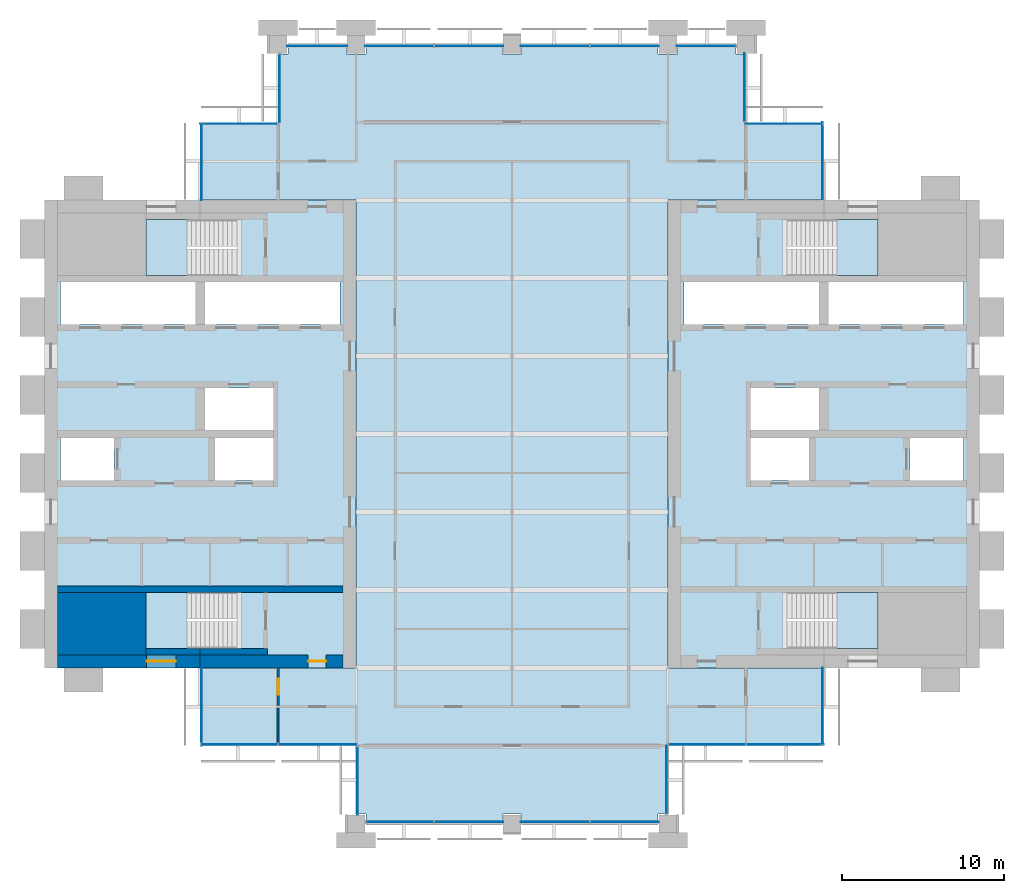
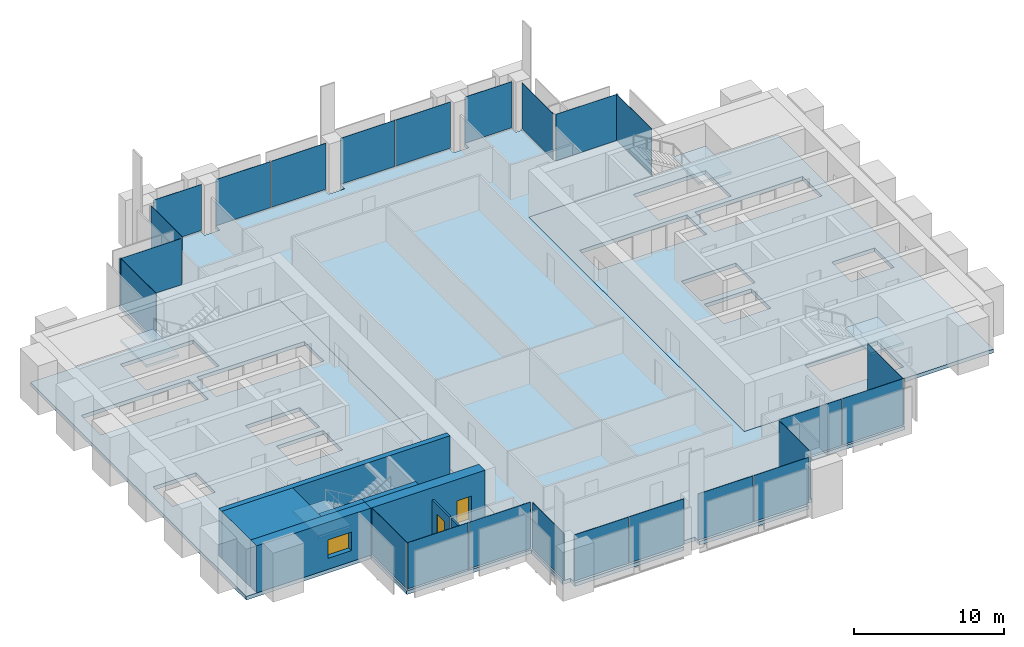
# One storey, part 7 of 13: 24 plates, 8 walls, 7 slabs, 2 doors, 1 window, 3 openings, 18 elements without a shape of their own.
"""IFC4 building model written with IfcOpenShell, lengths in metres."""

from ifc_helpers import new_model, si_unit, direction, frame, frame_2d, origin, origin_2d, place, context, subcontext, project, spatial, polyline, rectangle, outline, extrude, material, layer, layer_set, type_object, element, fill, aggregate, save


model = new_model("IFC4")

# Units and contexts
model_context = context("Model", 3, precision=1e-05, world=origin(), true_north=direction((0.0, 1.0)))
body_context = subcontext(model_context, "Body", "Model", "MODEL_VIEW")
ifc_project = project(units=[si_unit("LENGTHUNIT", "METRE"), si_unit("AREAUNIT", "SQUARE_METRE"), si_unit("VOLUMEUNIT", "CUBIC_METRE"), si_unit("PLANEANGLEUNIT", "RADIAN"), si_unit("MASSUNIT", "GRAM", prefix="KILO")], contexts=[model_context])

# Site, building, storey
site_placement = place(None, origin())
site = spatial("IfcSite", under=ifc_project, at=site_placement, CompositionType="ELEMENT")
building_placement = place(site_placement, origin())
building = spatial("IfcBuilding", under=site, at=building_placement, Name="Baori Bourse Tower", CompositionType="ELEMENT")
storey_placement = place(building_placement, frame((0.0, 0.0, 193.199951171875)))
storey = spatial("IfcBuildingStorey", under=building, at=storey_placement, Name="L41", CompositionType="ELEMENT", Elevation=193.199951171875)

# Curtain wall, plate
ifc_material_1 = material(Name="Pale anodised aluminium", Category="aluminium")
curtain_wall_type_1 = type_object("IfcCurtainWallType", Name="CW2 Curtain wall", PredefinedType="NOTDEFINED", material=ifc_material_1)
curtain_wall_1_placement = place(storey_placement, origin())
curtain_wall_1 = element("IfcCurtainWall", 1, at=curtain_wall_1_placement, inside=storey, type_object=curtain_wall_type_1, Name="Curtain wall CW2 L41 1", PredefinedType="NOTDEFINED")
ifc_material_2 = material(Name="Clear glass", Category="glass")
ifc_layer_1 = layer(ifc_material_2, 0.030029296875)
ifc_layer_set_1 = layer_set([ifc_layer_1], Name="CW2 Curtain wall panel")
plate_type_1 = type_object("IfcPlateType", Name="CW2 Curtain wall panel", PredefinedType="CURTAIN_PANEL", material=ifc_layer_set_1)
plate_1_placement = place(storey_placement, frame((47.909912109375, 40.827392578125, 0.070068359375), z_axis=(0.0, 0.0, 1.0), x_axis=(0.0, 1.0, 0.0)))
plate_1 = element("IfcPlate", 2, at=plate_1_placement, type_object=plate_type_1, Name="Curtain wall CW2 panel", PredefinedType="CURTAIN_PANEL", context=body_context, shape_type="SweptSolid", body=[
    extrude(rectangle(XDim=4.7451171875, YDim=0.030029296875, at=origin_2d()), origin(), (0.0, 0.0, 1.0), 3.77001953125),
])
aggregate(curtain_wall_1, [plate_1])

curtain_wall_2_placement = place(storey_placement, origin())
curtain_wall_2 = element("IfcCurtainWall", 3, at=curtain_wall_2_placement, inside=storey, type_object=curtain_wall_type_1, Name="Curtain wall CW2 L41 2", PredefinedType="NOTDEFINED")
plate_2_placement = place(storey_placement, frame((45.572509765625, 43.110107421875, 0.070068359375), z_axis=(0.0, 0.0, 1.0), x_axis=(-1.0, 0.0, 0.0)))
plate_2 = element("IfcPlate", 4, at=plate_2_placement, type_object=plate_type_1, Name="Curtain wall CW2 panel", PredefinedType="CURTAIN_PANEL", context=body_context, shape_type="SweptSolid", body=[
    extrude(rectangle(XDim=4.7451171875, YDim=0.030029296875, at=origin_2d()), origin(), (0.0, 0.0, 1.0), 3.77001953125),
])
aggregate(curtain_wall_2, [plate_2])

curtain_wall_3_placement = place(storey_placement, origin())
curtain_wall_3 = element("IfcCurtainWall", 5, at=curtain_wall_3_placement, inside=storey, type_object=curtain_wall_type_1, Name="Curtain wall CW2 L41 3", PredefinedType="NOTDEFINED")
plate_3_placement = place(storey_placement, frame((43.110107421875, 45.3525390625, 0.070068359375), z_axis=(0.0, 0.0, 1.0), x_axis=(0.0, 1.0, 0.0)))
plate_3 = element("IfcPlate", 6, at=plate_3_placement, type_object=plate_type_1, Name="Curtain wall CW2 panel", PredefinedType="CURTAIN_PANEL", context=body_context, shape_type="SweptSolid", body=[
    extrude(rectangle(XDim=4.195068359375, YDim=0.030029296875, at=origin_2d()), origin(), (0.0, 0.0, 1.0), 3.77001953125),
])
aggregate(curtain_wall_3, [plate_3])

curtain_wall_4_placement = place(storey_placement, origin())
curtain_wall_4 = element("IfcCurtainWall", 7, at=curtain_wall_4_placement, inside=storey, type_object=curtain_wall_type_1, Name="Curtain wall CW2 L41 5", PredefinedType="NOTDEFINED")
plate_4_placement = place(storey_placement, frame((14.489990234375, 45.297607421875, 0.070068359375), z_axis=(0.0, 0.0, 1.0), x_axis=(0.0, -1.0, 0.0)))
plate_4 = element("IfcPlate", 8, at=plate_4_placement, type_object=plate_type_1, Name="Curtain wall CW2 panel", PredefinedType="CURTAIN_PANEL", context=body_context, shape_type="SweptSolid", body=[
    extrude(rectangle(XDim=4.195068359375, YDim=0.030029296875, at=origin_2d()), origin(), (0.0, 0.0, 1.0), 3.77001953125),
])
aggregate(curtain_wall_4, [plate_4])

curtain_wall_5_placement = place(storey_placement, origin())
curtain_wall_5 = element("IfcCurtainWall", 9, at=curtain_wall_5_placement, inside=storey, type_object=curtain_wall_type_1, Name="Curtain wall CW2 L41 6", PredefinedType="NOTDEFINED")
plate_5_placement = place(storey_placement, frame((11.972412109375, 43.110107421875, 0.070068359375), z_axis=(0.0, 0.0, 1.0), x_axis=(-1.0, 0.0, 0.0)))
plate_5 = element("IfcPlate", 10, at=plate_5_placement, type_object=plate_type_1, Name="Curtain wall CW2 panel", PredefinedType="CURTAIN_PANEL", context=body_context, shape_type="SweptSolid", body=[
    extrude(rectangle(XDim=4.7451171875, YDim=0.030029296875, at=origin_2d()), origin(), (0.0, 0.0, 1.0), 3.77001953125),
])
aggregate(curtain_wall_5, [plate_5])

curtain_wall_6_placement = place(storey_placement, origin())
curtain_wall_6 = element("IfcCurtainWall", 11, at=curtain_wall_6_placement, inside=storey, type_object=curtain_wall_type_1, Name="Curtain wall CW2 L41 7", PredefinedType="NOTDEFINED")
plate_6_placement = place(storey_placement, frame((9.68994140625, 40.7724609375, 0.070068359375), z_axis=(0.0, 0.0, 1.0), x_axis=(0.0, -1.0, 0.0)))
plate_6 = element("IfcPlate", 12, at=plate_6_placement, type_object=plate_type_1, Name="Curtain wall CW2 panel", PredefinedType="CURTAIN_PANEL", context=body_context, shape_type="SweptSolid", body=[
    extrude(rectangle(XDim=4.7451171875, YDim=0.030029296875, at=origin_2d()), origin(), (0.0, 0.0, 1.0), 3.77001953125),
])
aggregate(curtain_wall_6, [plate_6])

curtain_wall_7_placement = place(storey_placement, origin())
curtain_wall_7 = element("IfcCurtainWall", 13, at=curtain_wall_7_placement, inside=storey, type_object=curtain_wall_type_1, Name="Curtain wall CW2 L41 8", PredefinedType="NOTDEFINED")
plate_7_placement = place(storey_placement, frame((9.68994140625, 7.172607421875, 0.070068359375), z_axis=(0.0, 0.0, 1.0), x_axis=(0.0, -1.0, 0.0)))
plate_7 = element("IfcPlate", 14, at=plate_7_placement, type_object=plate_type_1, Name="Curtain wall CW2 panel", PredefinedType="CURTAIN_PANEL", context=body_context, shape_type="SweptSolid", body=[
    extrude(rectangle(XDim=4.7451171875, YDim=0.030029296875, at=origin_2d()), origin(), (0.0, 0.0, 1.0), 3.77001953125),
])
aggregate(curtain_wall_7, [plate_7])

# Curtain wall, plates
curtain_wall_8_placement = place(storey_placement, origin())
curtain_wall_8 = element("IfcCurtainWall", 15, at=curtain_wall_8_placement, inside=storey, type_object=curtain_wall_type_1, Name="Curtain wall CW2 L41 9", PredefinedType="NOTDEFINED")
plate_8_placement = place(storey_placement, frame((12.013671875, 4.889892578125, 0.070068359375), z_axis=(0.0, 0.0, 1.0), x_axis=(1.0, 0.0, 0.0)))
plate_8 = element("IfcPlate", 16, at=plate_8_placement, type_object=plate_type_1, Name="Curtain wall CW2 panel", PredefinedType="CURTAIN_PANEL", context=body_context, shape_type="SweptSolid", body=[
    extrude(rectangle(XDim=4.717529296875, YDim=0.030029296875, at=origin_2d()), origin(), (0.0, 0.0, 1.0), 3.77001953125),
])
plate_9_placement = place(storey_placement, frame((16.813720703125, 4.889892578125, 0.070068359375), z_axis=(0.0, 0.0, 1.0), x_axis=(1.0, 0.0, 0.0)))
plate_9 = element("IfcPlate", 17, at=plate_9_placement, type_object=plate_type_1, Name="Curtain wall CW2 panel", PredefinedType="CURTAIN_PANEL", context=body_context, shape_type="SweptSolid", body=[
    extrude(rectangle(XDim=4.7724609375, YDim=0.030029296875, at=origin_2d()), origin(), (0.0, 0.0, 1.0), 3.77001953125),
])
aggregate(curtain_wall_8, [plate_8, plate_9])

# Curtain wall, plate
curtain_wall_9_placement = place(storey_placement, origin())
curtain_wall_9 = element("IfcCurtainWall", 18, at=curtain_wall_9_placement, inside=storey, type_object=curtain_wall_type_1, Name="Curtain wall CW2 L41 10", PredefinedType="NOTDEFINED")
plate_10_placement = place(storey_placement, frame((19.2900390625, 2.6474609375, 0.070068359375), z_axis=(0.0, 0.0, 1.0), x_axis=(0.0, -1.0, 0.0)))
plate_10 = element("IfcPlate", 19, at=plate_10_placement, type_object=plate_type_1, Name="Curtain wall CW2 panel", PredefinedType="CURTAIN_PANEL", context=body_context, shape_type="SweptSolid", body=[
    extrude(rectangle(XDim=4.195068359375, YDim=0.030029296875, at=origin_2d()), origin(), (0.0, 0.0, 1.0), 3.77001953125),
])
aggregate(curtain_wall_9, [plate_10])

curtain_wall_10_placement = place(storey_placement, origin())
curtain_wall_10 = element("IfcCurtainWall", 20, at=curtain_wall_10_placement, inside=storey, type_object=curtain_wall_type_1, Name="Curtain wall CW2 L41 12", PredefinedType="NOTDEFINED")
plate_11_placement = place(storey_placement, frame((38.31005859375, 2.702392578125, 0.070068359375), z_axis=(0.0, 0.0, 1.0), x_axis=(0.0, 1.0, 0.0)))
plate_11 = element("IfcPlate", 21, at=plate_11_placement, type_object=plate_type_1, Name="Curtain wall CW2 panel", PredefinedType="CURTAIN_PANEL", context=body_context, shape_type="SweptSolid", body=[
    extrude(rectangle(XDim=4.195068359375, YDim=0.030029296875, at=origin_2d()), origin(), (0.0, 0.0, 1.0), 3.77001953125),
])
aggregate(curtain_wall_10, [plate_11])

# Curtain wall, plates
curtain_wall_11_placement = place(storey_placement, origin())
curtain_wall_11 = element("IfcCurtainWall", 22, at=curtain_wall_11_placement, inside=storey, type_object=curtain_wall_type_1, Name="Curtain wall CW2 L41 13", PredefinedType="NOTDEFINED")
plate_12_placement = place(storey_placement, frame((40.813720703125, 4.889892578125, 0.070068359375), z_axis=(0.0, 0.0, 1.0), x_axis=(1.0, 0.0, 0.0)))
plate_12 = element("IfcPlate", 23, at=plate_12_placement, type_object=plate_type_1, Name="Curtain wall CW2 panel", PredefinedType="CURTAIN_PANEL", context=body_context, shape_type="SweptSolid", body=[
    extrude(rectangle(XDim=4.717529296875, YDim=0.030029296875, at=origin_2d()), origin(), (0.0, 0.0, 1.0), 3.77001953125),
])
plate_13_placement = place(storey_placement, frame((45.61376953125, 4.889892578125, 0.070068359375), z_axis=(0.0, 0.0, 1.0), x_axis=(1.0, 0.0, 0.0)))
plate_13 = element("IfcPlate", 24, at=plate_13_placement, type_object=plate_type_1, Name="Curtain wall CW2 panel", PredefinedType="CURTAIN_PANEL", context=body_context, shape_type="SweptSolid", body=[
    extrude(rectangle(XDim=4.7724609375, YDim=0.030029296875, at=origin_2d()), origin(), (0.0, 0.0, 1.0), 3.77001953125),
])
aggregate(curtain_wall_11, [plate_12, plate_13])

# Curtain wall, plate
curtain_wall_12_placement = place(storey_placement, origin())
curtain_wall_12 = element("IfcCurtainWall", 25, at=curtain_wall_12_placement, inside=storey, type_object=curtain_wall_type_1, Name="Curtain wall CW2 L41 14", PredefinedType="NOTDEFINED")
plate_14_placement = place(storey_placement, frame((47.909912109375, 7.2275390625, 0.070068359375), z_axis=(0.0, 0.0, 1.0), x_axis=(0.0, 1.0, 0.0)))
plate_14 = element("IfcPlate", 26, at=plate_14_placement, type_object=plate_type_1, Name="Curtain wall CW2 panel", PredefinedType="CURTAIN_PANEL", context=body_context, shape_type="SweptSolid", body=[
    extrude(rectangle(XDim=4.7451171875, YDim=0.030029296875, at=origin_2d()), origin(), (0.0, 0.0, 1.0), 3.77001953125),
])
aggregate(curtain_wall_12, [plate_14])

# Curtain wall, plates
ifc_material_3 = material(Name="Pale anodised aluminium", Category="aluminium")
curtain_wall_type_2 = type_object("IfcCurtainWallType", Name="CW5 Curtain wall", PredefinedType="NOTDEFINED", material=ifc_material_3)
curtain_wall_13_placement = place(storey_placement, origin())
curtain_wall_13 = element("IfcCurtainWall", 27, at=curtain_wall_13_placement, inside=storey, type_object=curtain_wall_type_2, Name="Curtain wall CW5 L41 4", PredefinedType="NOTDEFINED")
ifc_material_4 = material(Name="Clear glass", Category="glass")
ifc_layer_2 = layer(ifc_material_4, 0.035888671875)
ifc_layer_set_2 = layer_set([ifc_layer_2], Name="CW5 Curtain wall panel")
plate_type_2 = type_object("IfcPlateType", Name="CW5 Curtain wall panel", PredefinedType="CURTAIN_PANEL", material=ifc_layer_set_2)
plate_15_placement = place(storey_placement, frame((40.767578125, 47.889892578125, 0.085205078125), z_axis=(0.0, 0.0, 1.0), x_axis=(-1.0, 0.0, 0.0)))
plate_15 = element("IfcPlate", 28, at=plate_15_placement, type_object=plate_type_2, Name="Curtain wall CW5 panel", PredefinedType="CURTAIN_PANEL", context=body_context, shape_type="SweptSolid", body=[
    extrude(rectangle(XDim=3.635009765625, YDim=0.035888671875, at=origin_2d()), origin(), (0.0, 0.0, 1.0), 3.7548828125),
])
plate_16_placement = place(storey_placement, frame((35.7412109375, 47.889892578125, 0.085205078125), z_axis=(0.0, 0.0, 1.0), x_axis=(-1.0, 0.0, 0.0)))
plate_16 = element("IfcPlate", 29, at=plate_16_placement, type_object=plate_type_2, Name="Curtain wall CW5 panel", PredefinedType="CURTAIN_PANEL", context=body_context, shape_type="SweptSolid", body=[
    extrude(rectangle(XDim=4.217529296875, YDim=0.035888671875, at=origin_2d()), origin(), (0.0, 0.0, 1.0), 3.7548828125),
])
plate_17_placement = place(storey_placement, frame((31.458740234375, 47.889892578125, 0.085205078125), z_axis=(0.0, 0.0, 1.0), x_axis=(-1.0, 0.0, 0.0)))
plate_17 = element("IfcPlate", 30, at=plate_17_placement, type_object=plate_type_2, Name="Curtain wall CW5 panel", PredefinedType="CURTAIN_PANEL", context=body_context, shape_type="SweptSolid", body=[
    extrude(rectangle(XDim=4.217529296875, YDim=0.035888671875, at=origin_2d()), origin(), (0.0, 0.0, 1.0), 3.7548828125),
])
plate_18_placement = place(storey_placement, frame((26.141357421875, 47.889892578125, 0.085205078125), z_axis=(0.0, 0.0, 1.0), x_axis=(-1.0, 0.0, 0.0)))
plate_18 = element("IfcPlate", 31, at=plate_18_placement, type_object=plate_type_2, Name="Curtain wall CW5 panel", PredefinedType="CURTAIN_PANEL", context=body_context, shape_type="SweptSolid", body=[
    extrude(rectangle(XDim=4.217529296875, YDim=0.035888671875, at=origin_2d()), origin(), (0.0, 0.0, 1.0), 3.7548828125),
])
plate_19_placement = place(storey_placement, frame((21.858642578125, 47.889892578125, 0.085205078125), z_axis=(0.0, 0.0, 1.0), x_axis=(-1.0, 0.0, 0.0)))
plate_19 = element("IfcPlate", 32, at=plate_19_placement, type_object=plate_type_2, Name="Curtain wall CW5 panel", PredefinedType="CURTAIN_PANEL", context=body_context, shape_type="SweptSolid", body=[
    extrude(rectangle(XDim=4.217529296875, YDim=0.035888671875, at=origin_2d()), origin(), (0.0, 0.0, 1.0), 3.7548828125),
])
plate_20_placement = place(storey_placement, frame((16.800048828125, 47.889892578125, 0.085205078125), z_axis=(0.0, 0.0, 1.0), x_axis=(-1.0, 0.0, 0.0)))
plate_20 = element("IfcPlate", 33, at=plate_20_placement, type_object=plate_type_2, Name="Curtain wall CW5 panel", PredefinedType="CURTAIN_PANEL", context=body_context, shape_type="SweptSolid", body=[
    extrude(rectangle(XDim=3.699951171875, YDim=0.035888671875, at=origin_2d()), origin(), (0.0, 0.0, 1.0), 3.7548828125),
])
aggregate(curtain_wall_13, [plate_15, plate_16, plate_17, plate_18, plate_19, plate_20])

curtain_wall_14_placement = place(storey_placement, origin())
curtain_wall_14 = element("IfcCurtainWall", 34, at=curtain_wall_14_placement, inside=storey, type_object=curtain_wall_type_2, Name="Curtain wall CW5 L41 11", PredefinedType="NOTDEFINED")
plate_21_placement = place(storey_placement, frame((21.891357421875, 0.110107421875, 0.085205078125), z_axis=(0.0, 0.0, 1.0), x_axis=(1.0, 0.0, 0.0)))
plate_21 = element("IfcPlate", 35, at=plate_21_placement, type_object=plate_type_2, Name="Curtain wall CW5 panel", PredefinedType="CURTAIN_PANEL", context=body_context, shape_type="SweptSolid", body=[
    extrude(rectangle(XDim=4.152587890625, YDim=0.035888671875, at=origin_2d()), origin(), (0.0, 0.0, 1.0), 3.7548828125),
])
plate_22_placement = place(storey_placement, frame((26.141357421875, 0.110107421875, 0.085205078125), z_axis=(0.0, 0.0, 1.0), x_axis=(1.0, 0.0, 0.0)))
plate_22 = element("IfcPlate", 36, at=plate_22_placement, type_object=plate_type_2, Name="Curtain wall CW5 panel", PredefinedType="CURTAIN_PANEL", context=body_context, shape_type="SweptSolid", body=[
    extrude(rectangle(XDim=4.217529296875, YDim=0.035888671875, at=origin_2d()), origin(), (0.0, 0.0, 1.0), 3.7548828125),
])
plate_23_placement = place(storey_placement, frame((31.458740234375, 0.110107421875, 0.085205078125), z_axis=(0.0, 0.0, 1.0), x_axis=(1.0, 0.0, 0.0)))
plate_23 = element("IfcPlate", 37, at=plate_23_placement, type_object=plate_type_2, Name="Curtain wall CW5 panel", PredefinedType="CURTAIN_PANEL", context=body_context, shape_type="SweptSolid", body=[
    extrude(rectangle(XDim=4.217529296875, YDim=0.035888671875, at=origin_2d()), origin(), (0.0, 0.0, 1.0), 3.7548828125),
])
plate_24_placement = place(storey_placement, frame((35.7412109375, 0.110107421875, 0.085205078125), z_axis=(0.0, 0.0, 1.0), x_axis=(1.0, 0.0, 0.0)))
plate_24 = element("IfcPlate", 38, at=plate_24_placement, type_object=plate_type_2, Name="Curtain wall CW5 panel", PredefinedType="CURTAIN_PANEL", context=body_context, shape_type="SweptSolid", body=[
    extrude(rectangle(XDim=4.217529296875, YDim=0.035888671875, at=origin_2d()), origin(), (0.0, 0.0, 1.0), 3.7548828125),
])
aggregate(curtain_wall_14, [plate_21, plate_22, plate_23, plate_24])

# Slabs
ifc_material_5 = material(Name="Concrete f'c 50 MPa", Category="concrete")
ifc_layer_3 = layer(ifc_material_5, 0.300048828125)
ifc_layer_set_3 = layer_set([ifc_layer_3], Name="Core slab 300")
slab_type_1 = type_object("IfcSlabType", Name="Core slab 300", PredefinedType="FLOOR", material=ifc_layer_set_3)
slab_1_placement = place(storey_placement, frame((0.0, 0.0, -0.300048828125)))
element("IfcSlab", 39, at=slab_1_placement, inside=storey, type_object=slab_type_1, Name="Core floor slab W01", PredefinedType="FLOOR", context=body_context, shape_type="SweptSolid", body=[
    extrude(outline(polyline([(19.199951171875, 38.39990234375), (0.0, 38.39990234375), (0.0, 9.60009765625), (19.199951171875, 9.60009765625), (19.199951171875, 38.39990234375)]), holes=[polyline([(9.89990234375, 33.35009765625), (18.199951171875, 33.35009765625), (18.199951171875, 30.75), (9.89990234375, 30.75), (9.89990234375, 33.35009765625)]), polyline([(10.5, 21.14990234375), (10.5, 23.75), (14.10009765625, 23.75), (14.10009765625, 21.14990234375), (10.5, 21.14990234375)]), polyline([(14.10009765625, 24.25), (9.89990234375, 24.25), (9.89990234375, 26.85009765625), (14.10009765625, 26.85009765625), (14.10009765625, 24.25)]), polyline([(6.25, 14.25), (11.84912109375, 14.25), (11.84912109375, 10.800048828125), (6.25, 10.800048828125), (6.25, 14.25)]), polyline([(11.84912109375, 37.199951171875), (11.84912109375, 33.75), (6.25, 33.75), (6.25, 37.199951171875), (11.84912109375, 37.199951171875)]), polyline([(1.0, 30.75), (1.0, 33.35009765625), (9.300048828125, 33.35009765625), (9.300048828125, 30.75), (1.0, 30.75)]), polyline([(4.300048828125, 23.75), (4.300048828125, 21.14990234375), (1.0, 21.14990234375), (1.0, 23.75), (4.300048828125, 23.75)])]), origin(), (0.0, 0.0, 1.0), 0.300048828125),
])
slab_2_placement = place(storey_placement, frame((0.0, 0.0, -0.300048828125)))
element("IfcSlab", 40, at=slab_2_placement, inside=storey, type_object=slab_type_1, Name="Core floor slab E01", PredefinedType="FLOOR", context=body_context, shape_type="SweptSolid", body=[
    extrude(outline(polyline([(57.60009765625, 9.60009765625), (57.60009765625, 38.39990234375), (38.39990234375, 38.39990234375), (38.39990234375, 9.60009765625), (57.60009765625, 9.60009765625)]), holes=[polyline([(48.300048828125, 33.35009765625), (56.60009765625, 33.35009765625), (56.60009765625, 30.75), (48.300048828125, 30.75), (48.300048828125, 33.35009765625)]), polyline([(56.60009765625, 21.14990234375), (53.300048828125, 21.14990234375), (53.300048828125, 23.75), (56.60009765625, 23.75), (56.60009765625, 21.14990234375)]), polyline([(45.750732421875, 14.25), (51.35009765625, 14.25), (51.35009765625, 10.800048828125), (45.750732421875, 10.800048828125), (45.750732421875, 14.25)]), polyline([(51.35009765625, 37.199951171875), (51.35009765625, 33.75), (45.750732421875, 33.75), (45.750732421875, 37.199951171875), (51.35009765625, 37.199951171875)]), polyline([(43.5, 24.25), (43.5, 26.85009765625), (47.699951171875, 26.85009765625), (47.699951171875, 24.25), (43.5, 24.25)]), polyline([(47.699951171875, 33.35009765625), (47.699951171875, 30.75), (39.39990234375, 30.75), (39.39990234375, 33.35009765625), (47.699951171875, 33.35009765625)]), polyline([(43.5, 23.75), (47.10009765625, 23.75), (47.10009765625, 21.14990234375), (43.5, 21.14990234375), (43.5, 23.75)])]), origin(), (0.0, 0.0, 1.0), 0.300048828125),
])

# Stair, slab
ifc_material_6 = material(Name="Concrete f'c 50 MPa", Category="concrete")
stair_type = type_object("IfcStairType", Name="Core stair", PredefinedType="HALF_TURN_STAIR", material=ifc_material_6)
stair_1_placement = place(storey_placement, origin())
stair_1 = element("IfcStair", 41, at=stair_1_placement, inside=storey, type_object=stair_type, Name="L41 Stair WA", PredefinedType="HALF_TURN_STAIR")
ifc_material_7 = material(Name="Concrete f'c 50 MPa", Category="concrete")
slab_type_2 = type_object("IfcSlabType", Name="Core stair landing", PredefinedType="LANDING", material=ifc_material_7)
slab_3_placement = place(storey_placement, frame((0.0, 0.0, 1.800048828125)))
slab_3 = element("IfcSlab", 42, at=slab_3_placement, type_object=slab_type_2, Name="ST1 landing 1", PredefinedType="LANDING", context=body_context, shape_type="SweptSolid", body=[
    extrude(outline(polyline([(8.77001953125, 14.25), (6.25, 14.25), (6.25, 10.800048828125), (8.77001953125, 10.800048828125), (8.77001953125, 14.25)])), origin(), (0.0, 0.0, 1.0), 0.199951171875),
])
aggregate(stair_1, [slab_3])

stair_2_placement = place(storey_placement, origin())
stair_2 = element("IfcStair", 43, at=stair_2_placement, inside=storey, type_object=stair_type, Name="L41 Stair WB", PredefinedType="HALF_TURN_STAIR")
slab_4_placement = place(storey_placement, frame((0.0, 0.0, 1.800048828125)))
slab_4 = element("IfcSlab", 44, at=slab_4_placement, type_object=slab_type_2, Name="ST2 landing 1", PredefinedType="LANDING", context=body_context, shape_type="SweptSolid", body=[
    extrude(outline(polyline([(8.77001953125, 37.199951171875), (6.25, 37.199951171875), (6.25, 33.75), (8.77001953125, 33.75), (8.77001953125, 37.199951171875)])), origin(), (0.0, 0.0, 1.0), 0.199951171875),
])
aggregate(stair_2, [slab_4])

stair_3_placement = place(storey_placement, origin())
stair_3 = element("IfcStair", 45, at=stair_3_placement, inside=storey, type_object=stair_type, Name="L41 Stair EA", PredefinedType="HALF_TURN_STAIR")
slab_5_placement = place(storey_placement, frame((0.0, 0.0, 1.800048828125)))
slab_5 = element("IfcSlab", 46, at=slab_5_placement, type_object=slab_type_2, Name="ST3 landing 1", PredefinedType="LANDING", context=body_context, shape_type="SweptSolid", body=[
    extrude(outline(polyline([(48.830078125, 10.800048828125), (51.35009765625, 10.800048828125), (51.35009765625, 14.25), (48.830078125, 14.25), (48.830078125, 10.800048828125)])), origin(), (0.0, 0.0, 1.0), 0.199951171875),
])
aggregate(stair_3, [slab_5])

stair_4_placement = place(storey_placement, origin())
stair_4 = element("IfcStair", 47, at=stair_4_placement, inside=storey, type_object=stair_type, Name="L41 Stair EB", PredefinedType="HALF_TURN_STAIR")
slab_6_placement = place(storey_placement, frame((0.0, 0.0, 1.800048828125)))
slab_6 = element("IfcSlab", 48, at=slab_6_placement, type_object=slab_type_2, Name="ST4 landing 1", PredefinedType="LANDING", context=body_context, shape_type="SweptSolid", body=[
    extrude(outline(polyline([(48.830078125, 33.75), (51.35009765625, 33.75), (51.35009765625, 37.199951171875), (48.830078125, 37.199951171875), (48.830078125, 33.75)])), origin(), (0.0, 0.0, 1.0), 0.199951171875),
])
aggregate(stair_4, [slab_6])

# Slab
ifc_material_8 = material(Name="Concrete f'c 40 MPa", Category="concrete")
ifc_layer_4 = layer(ifc_material_8, 0.300048828125)
ifc_layer_set_4 = layer_set([ifc_layer_4], Name="Floor slab 300")
slab_type_3 = type_object("IfcSlabType", Name="Floor slab 300", PredefinedType="FLOOR", material=ifc_layer_set_4)
slab_7_placement = place(storey_placement, frame((0.0, 0.0, -0.300048828125)))
element("IfcSlab", 49, at=slab_7_placement, inside=storey, type_object=slab_type_3, Name="Floor slab L41", PredefinedType="FLOOR", context=body_context, shape_type="SweptSolid", body=[
    extrude(outline(polyline([(19.199951171875, 4.800048828125), (9.60009765625, 4.800048828125), (9.60009765625, 9.60009765625), (19.199951171875, 9.60009765625), (19.199951171875, 38.39990234375), (9.60009765625, 38.39990234375), (9.60009765625, 43.199951171875), (14.39990234375, 43.199951171875), (14.39990234375, 47.39990234375), (15.0, 47.39990234375), (15.0, 48.0), (18.60009765625, 48.0), (18.60009765625, 47.39990234375), (19.800048828125, 47.39990234375), (19.800048828125, 48.0), (28.199951171875, 48.0), (28.199951171875, 47.39990234375), (29.39990234375, 47.39990234375), (29.39990234375, 48.0), (37.800048828125, 48.0), (37.800048828125, 47.39990234375), (39.0, 47.39990234375), (39.0, 48.0), (42.60009765625, 48.0), (42.60009765625, 47.39990234375), (43.199951171875, 47.39990234375), (43.199951171875, 43.199951171875), (48.0, 43.199951171875), (48.0, 38.39990234375), (38.39990234375, 38.39990234375), (38.39990234375, 9.60009765625), (48.0, 9.60009765625), (48.0, 4.800048828125), (38.39990234375, 4.800048828125), (38.39990234375, 0.60009765625), (37.800048828125, 0.60009765625), (37.800048828125, 0.0), (29.39990234375, 0.0), (29.39990234375, 0.60009765625), (28.199951171875, 0.60009765625), (28.199951171875, 0.0), (19.800048828125, 0.0), (19.800048828125, 0.60009765625), (19.199951171875, 0.60009765625), (19.199951171875, 4.800048828125)])), origin(), (0.0, 0.0, 1.0), 0.300048828125),
])

# Wall
ifc_material_9 = material(Name="Concrete f'c 50 MPa", Category="concrete")
wall_type_1 = type_object("IfcWallType", Name="Core corner block f'c 50", PredefinedType="SHEAR", material=ifc_material_9)
wall_1_placement = place(storey_placement, frame((0.800048828125, 12.324951171875, 0.0), z_axis=(0.0, 0.0, 1.0), x_axis=(1.0, 0.0, 0.0)))
element("IfcWall", 50, at=wall_1_placement, inside=storey, type_object=wall_type_1, Name="Core wall W05", PredefinedType="SHEAR", context=body_context, shape_type="SweptSolid", body=[
    extrude(rectangle(XDim=5.449951171875, YDim=3.85009765625, at=frame_2d((2.72509765625, 0.0))), origin(), (0.0, 0.0, 1.0), 3.840087890625),
])

# Wall, opening, window
ifc_material_10 = material(Name="Concrete f'c 50 MPa", Category="concrete")
ifc_layer_5 = layer(ifc_material_10, 0.800048828125)
ifc_layer_set_5 = layer_set([ifc_layer_5], Name="Core wall 800 f'c 50")
wall_type_2 = type_object("IfcWallType", Name="Core wall 800 f'c 50", PredefinedType="SHEAR", material=ifc_layer_set_5)
wall_2_placement = place(storey_placement, frame((9.60009765625, 10.0, 0.0), z_axis=(0.0, 0.0, 1.0), x_axis=(-1.0, 0.0, 0.0)))
wall_2 = element("IfcWall", 51, at=wall_2_placement, inside=storey, type_object=wall_type_2, Name="Core wall W02", PredefinedType="SHEAR", context=body_context, shape_type="SweptSolid", body=[
    extrude(rectangle(XDim=8.800048828125, YDim=0.800048828125, at=frame_2d((4.39990234375, 0.0))), origin(), (0.0, 0.0, 1.0), 3.840087890625),
])
opening_1_placement = place(wall_2_placement, frame((1.5, 0.0, 0.89990234375)))
opening_1 = element("IfcOpeningElement", 52, at=opening_1_placement, cuts=wall_2, Name="Opening L41-KW103", PredefinedType="OPENING", context=body_context, shape_type="SweptSolid", body=[
    extrude(rectangle(XDim=1.800048828125, YDim=1.5, at=frame_2d((0.89990234375, 0.75))), frame((0.0, 0.409912109375, 0.0), z_axis=(0.0, -1.0, 0.0), x_axis=(1.0, 0.0, 0.0)), (0.0, 0.0, 1.0), 0.820068359375),
])
ifc_material_11 = material(Name="Pale anodised aluminium", Category="aluminium")
window_type = type_object("IfcWindowType", Name="Stair window 1800 x 1500", PartitioningType="SINGLE_PANEL", PredefinedType="WINDOW", material=ifc_material_11)
window_placement = place(opening_1_placement, origin())
window = element("IfcWindow", 53, at=window_placement, inside=storey, type_object=window_type, Name="Stair window W L41 3", OverallHeight=1.5, OverallWidth=1.800048828125, PartitioningType="SINGLE_PANEL", PredefinedType="WINDOW", context=body_context, shape_type="SweptSolid", body=[
    extrude(rectangle(XDim=1.800048828125, YDim=1.5, at=frame_2d((0.89990234375, 0.75))), frame((0.0, 0.030029296875, 0.0), z_axis=(0.0, -1.0, 0.0), x_axis=(1.0, 0.0, 0.0)), (0.0, 0.0, 1.0), 0.06005859375),
])
fill(opening_1, window)

# Wall, opening, door
wall_3_placement = place(storey_placement, frame((18.39990234375, 10.0, 0.0), z_axis=(0.0, 0.0, 1.0), x_axis=(-1.0, 0.0, 0.0)))
wall_3 = element("IfcWall", 54, at=wall_3_placement, inside=storey, type_object=wall_type_2, Name="Core wall W03", PredefinedType="SHEAR", context=body_context, shape_type="SweptSolid", body=[
    extrude(rectangle(XDim=8.7998046875, YDim=0.800048828125, at=frame_2d((4.39990234375, 0.0))), origin(), (0.0, 0.0, 1.0), 3.840087890625),
])
opening_2_placement = place(wall_3_placement, frame((1.050048828125, 0.0, 0.0)))
opening_2 = element("IfcOpeningElement", 55, at=opening_2_placement, cuts=wall_3, Name="Opening L41-D102", PredefinedType="OPENING", context=body_context, shape_type="SweptSolid", body=[
    extrude(rectangle(XDim=1.10009765625, YDim=2.10009765625, at=frame_2d((0.550048828125, 1.050048828125))), frame((0.0, 0.409912109375, 0.0), z_axis=(0.0, -1.0, 0.0), x_axis=(1.0, 0.0, 0.0)), (0.0, 0.0, 1.0), 0.820068359375),
])
ifc_material_12 = material(Name="Painted steel door", Category="steel")
door_type_1 = type_object("IfcDoorType", Name="Stair door 1100", OperationType="SINGLE_SWING_LEFT", PredefinedType="DOOR", material=ifc_material_12)
door_1_placement = place(opening_2_placement, origin())
door_1 = element("IfcDoor", 56, at=door_1_placement, inside=storey, type_object=door_type_1, Name="Stair vestibule door A W L41", OperationType="SINGLE_SWING_LEFT", OverallHeight=2.10009765625, OverallWidth=1.10009765625, PredefinedType="DOOR", context=body_context, shape_type="SweptSolid", body=[
    extrude(rectangle(XDim=1.10009765625, YDim=2.10009765625, at=frame_2d((0.550048828125, 1.050048828125))), frame((0.0, 0.02490234375, 0.0), z_axis=(0.0, -1.0, 0.0), x_axis=(1.0, 0.0, 0.0)), (0.0, 0.0, 1.0), 0.050048828125),
])
fill(opening_2, door_1)

ifc_material_13 = material(Name="Gypsum board partition")
ifc_layer_6 = layer(ifc_material_13, 0.14990234375)
ifc_layer_set_6 = layer_set([ifc_layer_6], Name="Corridor partition 150")
wall_type_3 = type_object("IfcWallType", Name="Corridor partition 150", PredefinedType="PARTITIONING", material=ifc_layer_set_6)
wall_4_placement = place(storey_placement, frame((14.39990234375, 7.27490234375, 0.0), z_axis=(0.0, 0.0, 1.0), x_axis=(0.0, 1.0, 0.0)))
wall_4 = element("IfcWall", 57, at=wall_4_placement, inside=storey, type_object=wall_type_3, Name="Partition", PredefinedType="PARTITIONING", context=body_context, shape_type="SweptSolid", body=[
    extrude(rectangle(XDim=2.3251953125, YDim=0.14990234375, at=frame_2d((1.16259765625, 0.0))), origin(), (0.0, 0.0, 1.0), 2.849365234375),
])
opening_3_placement = place(wall_4_placement, frame((0.66259765625, 0.0, 0.0)))
opening_3 = element("IfcOpeningElement", 58, at=opening_3_placement, cuts=wall_4, Name="Opening L41-D09", PredefinedType="OPENING", context=body_context, shape_type="SweptSolid", body=[
    extrude(rectangle(XDim=1.0, YDim=2.10009765625, at=frame_2d((0.5, 1.050048828125))), frame((0.0, 0.0849609375, 0.0), z_axis=(0.0, -1.0, 0.0), x_axis=(1.0, 0.0, 0.0)), (0.0, 0.0, 1.0), 0.169921875),
])
ifc_material_14 = material(Name="Timber door leaf", Category="wood")
door_type_2 = type_object("IfcDoorType", Name="Door 1000 x 2100", OperationType="SINGLE_SWING_LEFT", PredefinedType="DOOR", material=ifc_material_14)
door_2_placement = place(opening_3_placement, origin())
door_2 = element("IfcDoor", 59, at=door_2_placement, inside=storey, type_object=door_type_2, Name="Door", OperationType="SINGLE_SWING_RIGHT", OverallHeight=2.10009765625, OverallWidth=1.0, PredefinedType="DOOR", context=body_context, shape_type="SweptSolid", body=[
    extrude(rectangle(XDim=1.0, YDim=2.10009765625, at=frame_2d((0.5, 1.050048828125))), frame((0.0, 0.02490234375, 0.0), z_axis=(0.0, -1.0, 0.0), x_axis=(1.0, 0.0, 0.0)), (0.0, 0.0, 1.0), 0.050048828125),
])
fill(opening_3, door_2)

# Walls
ifc_material_15 = material(Name="Gypsum board partition")
ifc_layer_7 = layer(ifc_material_15, 0.125)
ifc_layer_set_7 = layer_set([ifc_layer_7], Name="Partition 125")
wall_type_4 = type_object("IfcWallType", Name="Partition 125", PredefinedType="PARTITIONING", material=ifc_layer_set_7)
wall_5_placement = place(storey_placement, frame((14.39990234375, 4.89990234375, 0.0), z_axis=(0.0, 0.0, 1.0), x_axis=(0.0, 1.0, 0.0)))
element("IfcWall", 60, at=wall_5_placement, inside=storey, type_object=wall_type_4, Name="Partition", PredefinedType="PARTITIONING", context=body_context, shape_type="SweptSolid", body=[
    extrude(rectangle(XDim=2.22509765625, YDim=0.125, at=frame_2d((1.112548828125, 0.0))), origin(), (0.0, 0.0, 1.0), 2.849365234375),
])
ifc_material_16 = material(Name="Concrete f'c 50 MPa", Category="concrete")
ifc_layer_8 = layer(ifc_material_16, 0.39990234375)
ifc_layer_set_8 = layer_set([ifc_layer_8], Name="Shaft wall 400 f'c 50")
wall_type_5 = type_object("IfcWallType", Name="Shaft wall 400 f'c 50", PredefinedType="SHEAR", material=ifc_layer_set_8)
wall_6_placement = place(storey_placement, frame((6.25, 10.60009765625, 0.0), z_axis=(0.0, 0.0, 1.0), x_axis=(1.0, 0.0, 0.0)))
element("IfcWall", 61, at=wall_6_placement, inside=storey, type_object=wall_type_5, Name="Core wall W06", PredefinedType="SHEAR", context=body_context, shape_type="SweptSolid", body=[
    extrude(rectangle(XDim=3.35009765625, YDim=0.39990234375, at=frame_2d((1.675048828125, 0.0))), origin(), (0.0, 0.0, 1.0), 3.840087890625),
])
wall_7_placement = place(storey_placement, frame((9.60009765625, 10.60009765625, 0.0), z_axis=(0.0, 0.0, 1.0), x_axis=(1.0, 0.0, 0.0)))
element("IfcWall", 62, at=wall_7_placement, inside=storey, type_object=wall_type_5, Name="Core wall W07", PredefinedType="SHEAR", context=body_context, shape_type="SweptSolid", body=[
    extrude(rectangle(XDim=4.14990234375, YDim=0.39990234375, at=frame_2d((2.074951171875, 0.0))), origin(), (0.0, 0.0, 1.0), 3.840087890625),
])
wall_8_placement = place(storey_placement, frame((0.800048828125, 14.449951171875, 0.0), z_axis=(0.0, 0.0, 1.0), x_axis=(1.0, 0.0, 0.0)))
element("IfcWall", 63, at=wall_8_placement, inside=storey, type_object=wall_type_5, Name="Core wall W09", PredefinedType="SHEAR", context=body_context, shape_type="SweptSolid", body=[
    extrude(rectangle(XDim=17.599853515625, YDim=0.39990234375, at=frame_2d((8.7998046875, 0.0))), origin(), (0.0, 0.0, 1.0), 3.840087890625),
])

save(model, "model.ifc")
